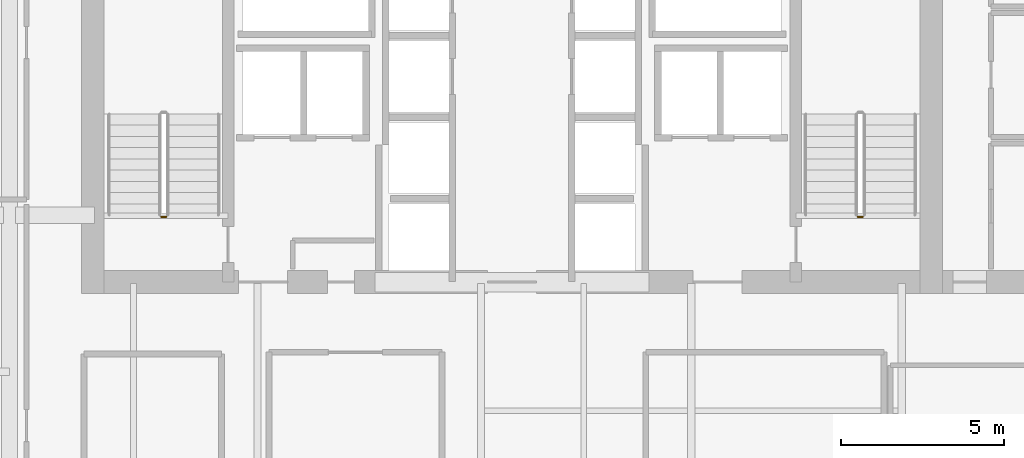
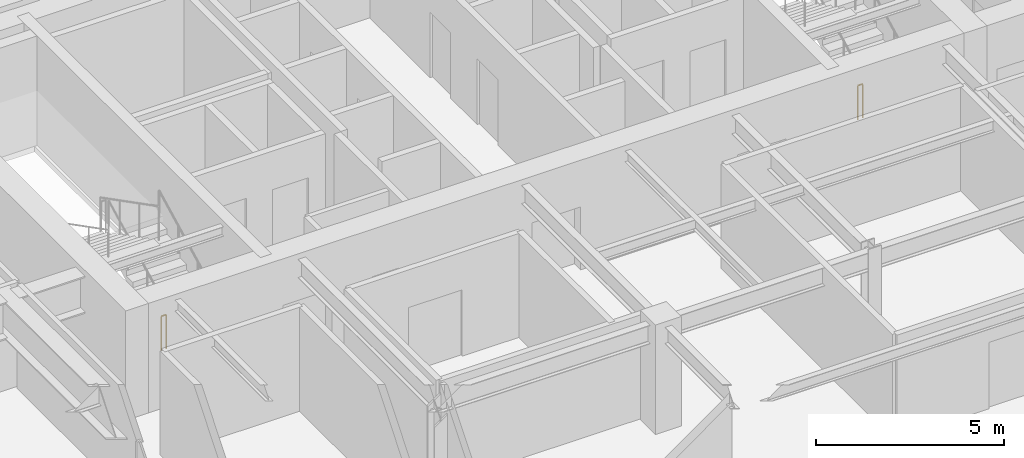
# One storey, part 17 of 20: 2 railings.
"""IFC4 building model written with IfcOpenShell, lengths in metres."""

from ifc_helpers import new_model, si_unit, direction, frame, origin, origin_2d, place, context, subcontext, project, spatial, circle, extrude, material, type_object, element, save


model = new_model("IFC4")

# Units and contexts
model_context = context("Model", 3, precision=1e-05, world=origin(), true_north=direction((0.0, 1.0)))
body_context = subcontext(model_context, "Body", "Model", "MODEL_VIEW")
ifc_project = project(units=[si_unit("LENGTHUNIT", "METRE"), si_unit("AREAUNIT", "SQUARE_METRE"), si_unit("VOLUMEUNIT", "CUBIC_METRE"), si_unit("PLANEANGLEUNIT", "RADIAN"), si_unit("MASSUNIT", "GRAM", prefix="KILO")], contexts=[model_context])

# Site, building, storey
site_placement = place(None, origin())
site = spatial("IfcSite", under=ifc_project, at=site_placement, CompositionType="ELEMENT")
building_placement = place(site_placement, origin())
building = spatial("IfcBuilding", under=site, at=building_placement, Name="Tolvann Quenvar Hotel", CompositionType="ELEMENT")
storey_placement = place(building_placement, frame((0.0, 0.0, 175.449951171875)))
storey = spatial("IfcBuildingStorey", under=building, at=storey_placement, Name="L46", CompositionType="ELEMENT", Elevation=175.449951171875)

# Railings
ifc_material = material(Name="Brushed 316 stainless steel balustrade and handrail", Category="steel")
railing_type = type_object("IfcRailingType", Name="GUARDRAIL", PredefinedType="GUARDRAIL", material=ifc_material)
for number, where, name in (
    (1, (12.39990234375, 33.949951171875, 0.0), "L46 ST-C1 stair guard 4"),
    (2, (33.75, 33.949951171875, 0.0), "L46 ST-C2 stair guard 4"),
):
    element("IfcRailing", number, at=place(storey_placement, frame(where)), inside=storey, type_object=railing_type, Name=name, PredefinedType="GUARDRAIL", context=body_context, shape_type="SweptSolid", body=[
        extrude(circle(Radius=0.02392578125, at=origin_2d()), frame((0.0, 0.0, 1.09619140625), z_axis=(-1.0, 0.0, 0.0), x_axis=(0.0, -1.0, 0.0)), (0.0, 0.0, 1.0), 0.14990234375),
        extrude(circle(Radius=0.02099609375, at=origin_2d()), origin(), (0.0, 0.0, 1.0), 1.072021484375),
        extrude(circle(Radius=0.02099609375, at=origin_2d()), frame((-0.14990234375, 0.0, 0.0)), (0.0, 0.0, 1.0), 1.072021484375),
    ])

save(model, "model.ifc")
